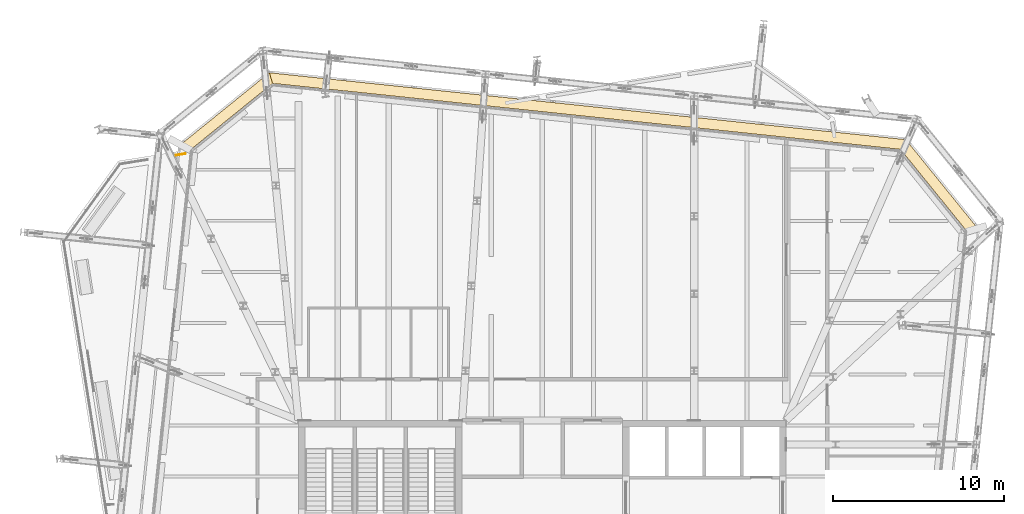
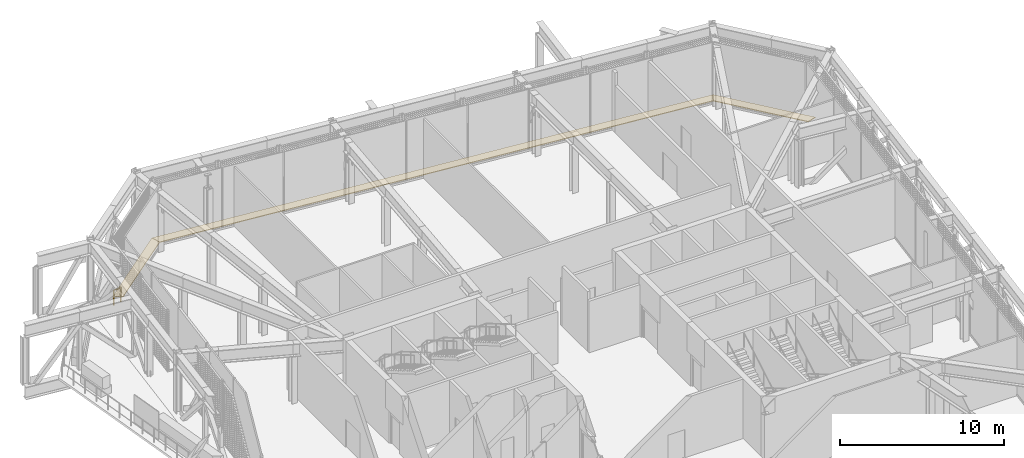
# One storey, part 35 of 36: 3 coverings, 1 railing.
"""IFC4 building model written with IfcOpenShell, lengths in metres."""

import ifcopenshell
import ifcopenshell.guid

model = None  # the IFC model being written
_history = None  # IfcOwnerHistory: only IFC2X3 demands one
_inside = {}  # id of a spatial element -> (the spatial element, [elements in it])
_under = {}  # id of a project, library or spatial element -> (it, [spatial elements below it])
_declared = {}  # id of a project -> (the project, [libraries it declares])
_typed = {}  # id of a type object -> (the type object, [elements of that type])
_made_of = {}  # id of a material, layer set ... -> (it, [elements and type objects made of it])


def new_model(schema):
    """Start an empty IFC model of exactly this schema.

    Asked for "IFC4X3", IfcOpenShell would pick the latest addendum, in which some entities
    have other attributes; the version numbers below select the first issue.
    IFC2X3 requires an IfcOwnerHistory on every rooted entity: one is made here for all.
    """
    global model, _history
    if schema == "IFC4X3":
        model = ifcopenshell.file(schema_version=(4, 3, 0, 0))
    else:
        model = ifcopenshell.file(schema=schema)
    _inside.clear()
    _under.clear()
    _declared.clear()
    _typed.clear()
    _made_of.clear()
    _history = None
    if model.schema == "IFC2X3":
        org = make("IfcOrganization", Name="unknown")
        user = make(
            "IfcPersonAndOrganization",
            ThePerson=make("IfcPerson", FamilyName="unknown"),
            TheOrganization=org,
        )
        app = make(
            "IfcApplication",
            ApplicationDeveloper=org,
            Version="unknown",
            ApplicationFullName="unknown",
            ApplicationIdentifier="unknown",
        )
        _history = make(
            "IfcOwnerHistory",
            OwningUser=user,
            OwningApplication=app,
            ChangeAction="ADDED",
            CreationDate=0,
        )
    return model


def make(cls, **values):
    """One entity of the class cls with the attributes given. An attribute that is None is left unset."""
    return model.create_entity(
        cls, **{name: value for name, value in values.items() if value is not None}
    )


def rooted(cls, **values):
    """An entity with a GlobalId (a new one), such as an element, a storey or a relation."""
    return make(cls, GlobalId=ifcopenshell.guid.new(), OwnerHistory=_history, **values)


def si_unit(unit_type, name, prefix=None):
    """IfcSIUnit, for example si_unit("LENGTHUNIT", "METRE", prefix="MILLI")."""
    return make("IfcSIUnit", UnitType=unit_type, Prefix=prefix, Name=name)


def assignment(units):
    """IfcUnitAssignment: the units of a project."""
    return None if units is None else make("IfcUnitAssignment", Units=units)


def point(xyz):
    """IfcCartesianPoint."""
    return None if xyz is None else make("IfcCartesianPoint", Coordinates=xyz)


def direction(xyz):
    """IfcDirection."""
    return None if xyz is None else make("IfcDirection", DirectionRatios=xyz)


def frame(location, z_axis=None, x_axis=None):
    """IfcAxis2Placement3D, a coordinate frame: its origin and axes. An axis left out is left unset."""
    return make(
        "IfcAxis2Placement3D",
        Location=point(location),
        Axis=direction(z_axis),
        RefDirection=direction(x_axis),
    )


def frame_2d(location, x_axis=None):
    """IfcAxis2Placement2D, a coordinate frame in the plane: its origin and x axis."""
    return make(
        "IfcAxis2Placement2D", Location=point(location), RefDirection=direction(x_axis)
    )


def origin():
    """The frame at (0, 0, 0) with its axes left unset."""
    return frame((0.0, 0.0, 0.0))


def origin_2d():
    """The frame at (0, 0) in the plane with its x axis left unset."""
    return frame_2d((0.0, 0.0))


def place(relative_to, where):
    """IfcLocalPlacement: puts the frame where relative to a parent placement (None: the world)."""
    return make(
        "IfcLocalPlacement", PlacementRelTo=relative_to, RelativePlacement=where
    )


def context(
    kind, dimensions, precision=None, world=None, true_north=None, identifier=None
):
    """IfcGeometricRepresentationContext, for example the 3D "Model" context."""
    return make(
        "IfcGeometricRepresentationContext",
        ContextIdentifier=identifier,
        ContextType=kind,
        CoordinateSpaceDimension=dimensions,
        Precision=precision,
        WorldCoordinateSystem=world,
        TrueNorth=true_north,
    )


def subcontext(parent, identifier, kind, view, scale=None):
    """IfcGeometricRepresentationSubContext, for example "Body" below "Model"."""
    return make(
        "IfcGeometricRepresentationSubContext",
        ContextIdentifier=identifier,
        ContextType=kind,
        ParentContext=parent,
        TargetScale=scale,
        TargetView=view,
    )


def project(units=None, contexts=None):
    """IfcProject with its units and contexts."""
    return rooted(
        "IfcProject",
        Name="project",
        RepresentationContexts=contexts,
        UnitsInContext=assignment(units),
    )


def spatial(cls, under=None, at=None, **own):
    """A site, building, storey or space (cls), placed at a placement, below another one or the project."""
    s = rooted(cls, ObjectPlacement=at, **own)
    if under is not None:
        _under.setdefault(under.id(), (under, []))[1].append(s)
    return s


def polyline(points):
    """IfcPolyline through the points."""
    return make("IfcPolyline", Points=[point(p) for p in points])


def profile(cls, at=None, kind="AREA", **sizes):
    """A parametric profile (cls). Its sizes go by their IFC names, for example OverallWidth=200.0."""
    return make(cls, ProfileType=kind, Position=at, **sizes)


def circle(**sizes):
    """IfcCircleProfileDef."""
    return profile("IfcCircleProfileDef", **sizes)


def outline(outer, holes=None, kind="AREA"):
    """IfcArbitraryClosedProfileDef: a profile drawn as a closed curve; with holes, ...WithVoids."""
    if holes is None:
        return make("IfcArbitraryClosedProfileDef", ProfileType=kind, OuterCurve=outer)
    return make(
        "IfcArbitraryProfileDefWithVoids",
        ProfileType=kind,
        OuterCurve=outer,
        InnerCurves=holes,
    )


def extrude(swept, where, along, depth):
    """IfcExtrudedAreaSolid: the profile swept, set in the frame where, extruded along a direction by depth."""
    return make(
        "IfcExtrudedAreaSolid",
        SweptArea=swept,
        Position=where,
        ExtrudedDirection=direction(along),
        Depth=depth,
    )


def shape(context_of_items, identifier, shape_type, items):
    """IfcShapeRepresentation: the items that make up one representation, for example the "Body"."""
    return make(
        "IfcShapeRepresentation",
        ContextOfItems=context_of_items,
        RepresentationIdentifier=identifier,
        RepresentationType=shape_type,
        Items=items,
    )


def material(Name=None, Category=None):
    """IfcMaterial."""
    return make("IfcMaterial", Name=Name, Category=Category)


def layer(
    of_material, thickness, ventilated=None, Name=None, Category=None, Priority=None
):
    """IfcMaterialLayer: one layer of a wall or slab, of a material (None: an air gap)."""
    return make(
        "IfcMaterialLayer",
        Material=of_material,
        LayerThickness=thickness,
        IsVentilated=ventilated,
        Name=Name,
        Category=Category,
        Priority=Priority,
    )


def layer_set(layers, Name=None):
    """IfcMaterialLayerSet."""
    return make("IfcMaterialLayerSet", MaterialLayers=layers, LayerSetName=Name)


def made_of(thing, what):
    """Note that an element or type object is made of a material, layer set ...; save() writes the relation."""
    if what is not None:
        _made_of.setdefault(what.id(), (what, []))[1].append(thing)
    return thing


def type_object(cls, material=None, **own):
    """A type object (cls), such as IfcWallType, which elements share."""
    return made_of(rooted(cls, **own), material)


def element(
    cls,
    number,
    at=None,
    inside=None,
    cuts=None,
    type_object=None,
    material=None,
    context=None,
    identifier="Body",
    shape_type=None,
    held_by="IfcProductDefinitionShape",
    body=None,
    shapes=None,
    **own,
):
    """One element of the class cls, such as IfcWall. Its Tag is "e" and its number.

    at: its placement. inside: the storey or other place that contains it. cuts: it is an
    opening in that element (IfcRelVoidsElement). A single representation is given by context,
    identifier, shape_type and body (its items); several are given by shapes. held_by: the class
    of the entity that holds the representations. save() writes the other relations.
    """
    e = rooted(cls, Tag="e%d" % number, ObjectPlacement=at, **own)
    if body is not None:
        shapes = [shape(context, identifier, shape_type, body)]
    if shapes is not None:
        e.Representation = make(held_by, Representations=shapes)
    if inside is not None:
        _inside.setdefault(inside.id(), (inside, []))[1].append(e)
    if cuts is not None:
        rooted(
            "IfcRelVoidsElement", RelatingBuildingElement=cuts, RelatedOpeningElement=e
        )
    if type_object is not None:
        _typed.setdefault(type_object.id(), (type_object, []))[1].append(e)
    return made_of(e, material)


def aggregate(whole, parts):
    """IfcRelAggregates: a whole, such as a stair, and the parts it consists of."""
    return rooted("IfcRelAggregates", RelatingObject=whole, RelatedObjects=parts)


def save(model, path):
    """Write the relations noted so far, then the file.

    IfcRelAggregates (storeys below a building ...), IfcRelContainedInSpatialStructure (elements
    in a storey), IfcRelDefinesByType, IfcRelAssociatesMaterial and IfcRelDeclares: one each for
    every whole, place, type object, material and project.
    """
    for whole, parts in _under.values():
        aggregate(whole, parts)
    for where, things in _inside.values():
        rooted(
            "IfcRelContainedInSpatialStructure",
            RelatedElements=things,
            RelatingStructure=where,
        )
    for kind, things in _typed.values():
        rooted("IfcRelDefinesByType", RelatedObjects=things, RelatingType=kind)
    for what, things in _made_of.values():
        rooted("IfcRelAssociatesMaterial", RelatedObjects=things, RelatingMaterial=what)
    for by, libraries in _declared.values():
        rooted("IfcRelDeclares", RelatingContext=by, RelatedDefinitions=libraries)
    model.write(path)


model = new_model("IFC4")

# Units and contexts
model_context = context("Model", 3, precision=1e-05, world=origin(), true_north=direction((0.0, 1.0)))
body_context = subcontext(model_context, "Body", "Model", "MODEL_VIEW")
ifc_project = project(units=[si_unit("LENGTHUNIT", "METRE"), si_unit("AREAUNIT", "SQUARE_METRE"), si_unit("VOLUMEUNIT", "CUBIC_METRE"), si_unit("PLANEANGLEUNIT", "RADIAN"), si_unit("MASSUNIT", "GRAM", prefix="KILO")], contexts=[model_context])

# Site, building, storey
site_placement = place(None, origin())
site = spatial("IfcSite", under=ifc_project, at=site_placement, CompositionType="ELEMENT")
building_placement = place(site_placement, origin())
building = spatial("IfcBuilding", under=site, at=building_placement, Name="Millrace Tower", CompositionType="ELEMENT")
storey_placement = place(building_placement, frame((0.0, 0.0, 271.39990234375)))
storey = spatial("IfcBuildingStorey", under=building, at=storey_placement, Name="L62", CompositionType="ELEMENT", Elevation=271.39990234375)

# Coverings
ifc_material_1 = material(Name="Steel ASTM A36", Category="steel")
ifc_layer = layer(ifc_material_1, 0.050048828125)
ifc_layer_set = layer_set([ifc_layer], Name="Steel ASTM A36")
covering_type = type_object("IfcCoveringType", Name="CAVITY CATWALK steel grating", PredefinedType="FLOORING", material=ifc_layer_set)
placement = place(storey_placement, frame((0.0, 0.0, 0.10009765625)))
element("IfcCovering", 1, at=placement, inside=storey, type_object=covering_type, Name="Cavity catwalk grating E-F05 L62 1", PredefinedType="FLOORING", context=body_context, shape_type="SweptSolid", body=[
    extrude(outline(polyline([(25.5322265625, 20.551513671875), (21.314208984375, 25.76025390625), (21.00439453125, 25.189453125), (24.90966796875, 20.366943359375), (25.5322265625, 20.551513671875)])), origin(), (0.0, 0.0, 1.0), 0.050048828125),
])
element("IfcCovering", 2, at=placement, inside=storey, type_object=covering_type, Name="Cavity catwalk grating E-F06 L62 1", PredefinedType="FLOORING", context=body_context, shape_type="SweptSolid", body=[
    extrude(outline(polyline([(21.314208984375, 25.76025390625), (-16.00146484375, 29.682373046875), (-15.817138671875, 29.0595703125), (21.00439453125, 25.189453125), (21.314208984375, 25.76025390625)])), origin(), (0.0, 0.0, 1.0), 0.050048828125),
])
element("IfcCovering", 3, at=placement, inside=storey, type_object=covering_type, Name="Cavity catwalk grating E-F07 L62 1", PredefinedType="FLOORING", context=body_context, shape_type="SweptSolid", body=[
    extrude(outline(polyline([(-16.00146484375, 29.682373046875), (-21.210205078125, 25.46435546875), (-20.639404296875, 25.154541015625), (-15.817138671875, 29.0595703125), (-16.00146484375, 29.682373046875)])), origin(), (0.0, 0.0, 1.0), 0.050048828125),
])

# Railing
ifc_material_2 = material(Name="Stainless steel ASTM A240 type 316", Category="steel")
railing_type = type_object("IfcRailingType", Name="Terrace guard 1100", PredefinedType="GUARDRAIL", material=ifc_material_2)
railing_placement = place(storey_placement, frame((-21.484619140625, 24.84326171875, 0.0)))
element("IfcRailing", 4, at=railing_placement, inside=storey, type_object=railing_type, Name="Terrace guard L61 edge 1.4", PredefinedType="GUARDRAIL", context=body_context, shape_type="SweptSolid", body=[
    extrude(circle(Radius=0.02392578125, at=origin_2d()), frame((0.0, 0.0, 1.076171875), z_axis=(0.987723464948, 0.156212537243, 0.0), x_axis=(-0.156212537243, 0.987723464948, 0.0)), (0.0, 0.0, 1.0), 0.5517578125),
    extrude(circle(Radius=0.02099609375, at=origin_2d()), origin(), (0.0, 0.0, 1.0), 1.052001953125),
    extrude(circle(Radius=0.02099609375, at=origin_2d()), frame((0.544921875, 0.086181640625, 0.0)), (0.0, 0.0, 1.0), 1.052001953125),
])

save(model, "model.ifc")
